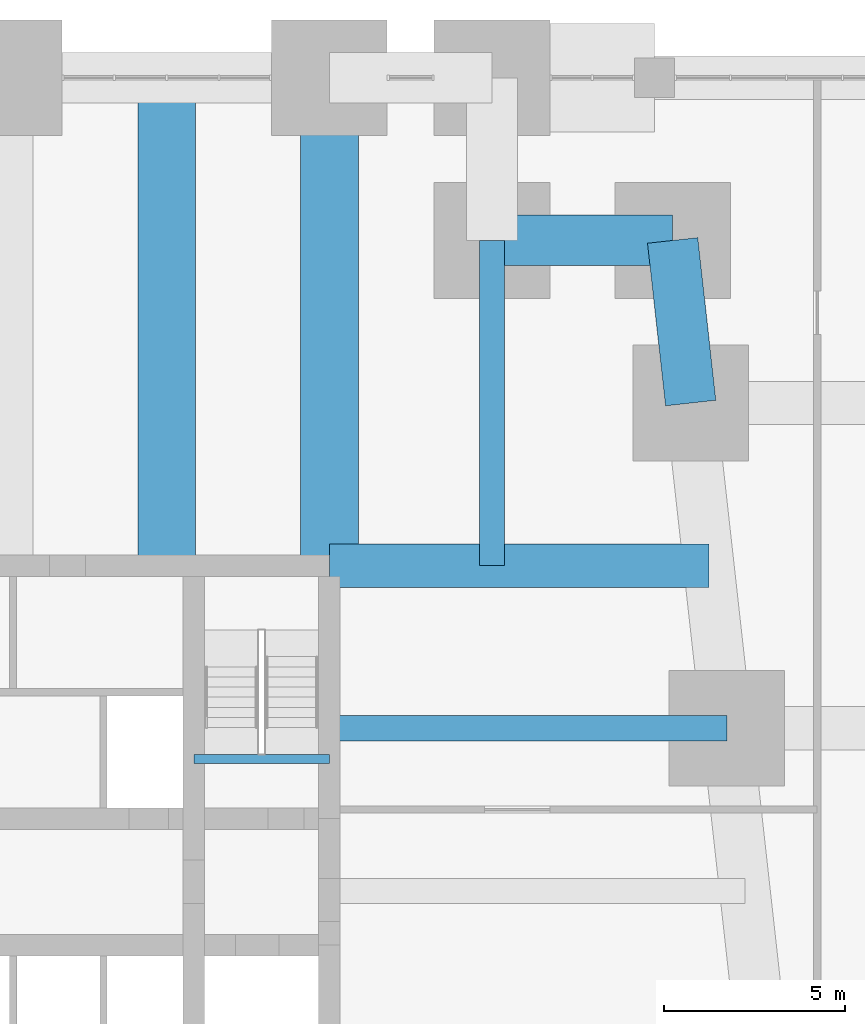
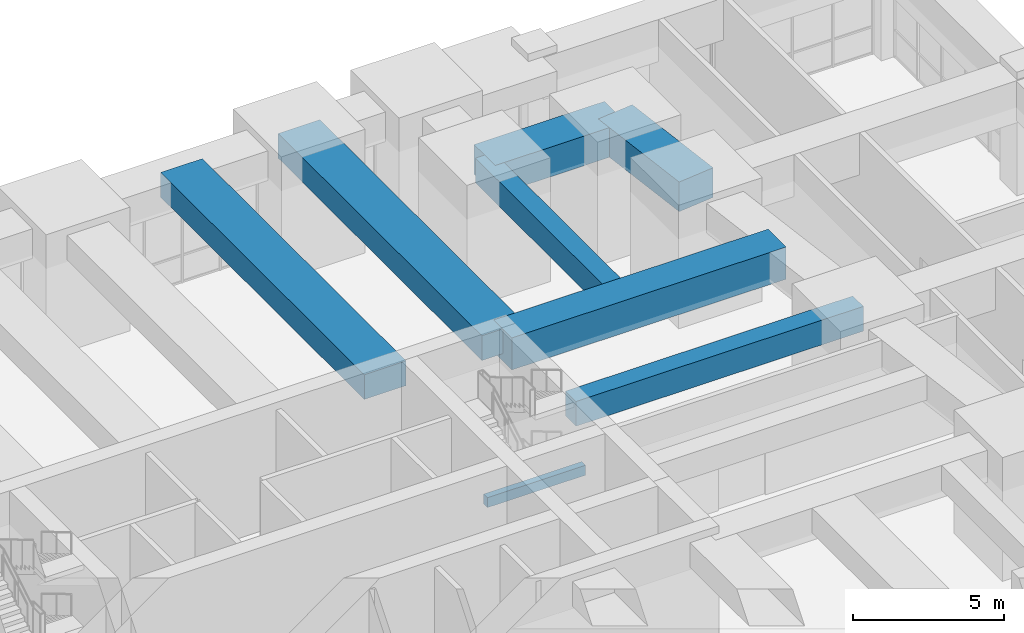
# One storey, part 12 of 27: 8 beams.
"""IFC4 building model written with IfcOpenShell, lengths in metres."""

from ifc_helpers import new_model, si_unit, direction, frame, origin, origin_2d, place, context, subcontext, project, spatial, rectangle, extrude, material, material_profile, profile_set, type_object, element, save


model = new_model("IFC4")

# Units and contexts
model_context = context("Model", 3, precision=1e-05, world=origin(), true_north=direction((0.0, 1.0)))
body_context = subcontext(model_context, "Body", "Model", "MODEL_VIEW")
ifc_project = project(units=[si_unit("LENGTHUNIT", "METRE"), si_unit("AREAUNIT", "SQUARE_METRE"), si_unit("VOLUMEUNIT", "CUBIC_METRE"), si_unit("PLANEANGLEUNIT", "RADIAN"), si_unit("MASSUNIT", "GRAM", prefix="KILO")], contexts=[model_context])

# Site, building, storey
site_placement = place(None, origin())
site = spatial("IfcSite", under=ifc_project, at=site_placement, CompositionType="ELEMENT")
building_placement = place(site_placement, origin())
building = spatial("IfcBuilding", under=site, at=building_placement, Name="Kilele Tower Hotel", CompositionType="ELEMENT")
storey_placement = place(building_placement, frame((0.0, 0.0, 6.0)))
storey = spatial("IfcBuildingStorey", under=building, at=storey_placement, Name="L01", CompositionType="ELEMENT", Elevation=6.0)

# Beams
ifc_material_1 = material(Name="Concrete C60/75", Category="concrete")
ifc_material_profile_1 = material_profile(ifc_material_1, rectangle(XDim=1.60009765625, YDim=1.0, at=origin_2d()))
ifc_profile_set_1 = profile_set([ifc_material_profile_1], Name="Concrete C60/75")
beam_type_1 = type_object("IfcBeamType", Name="Beam RC 1600x1000 C60/75", PredefinedType="BEAM", material=ifc_profile_set_1)
for number, where, z_axis, x_axis, name in (
    (1, (36.0, 40.5, 4.199951171875), (0.0, -1.0, 0.0), (1.0, 0.0, 0.0), "Beam BC1 level L02"),
    (2, (31.5, 40.5, 4.199951171875), (0.0, -1.0, 0.0), (1.0, 0.0, 0.0), "Beam BC1 level L02"),
):
    element("IfcBeam", number, at=place(storey_placement, frame(where, z_axis=z_axis, x_axis=x_axis)), inside=storey, type_object=beam_type_1, Name=name, PredefinedType="BEAM", context=body_context, shape_type="SweptSolid", body=[
        extrude(rectangle(XDim=1.60009765625, YDim=1.0, at=origin_2d()), origin(), (0.0, 0.0, 1.0), 13.5),
    ])
ifc_material_2 = material(Name="Concrete C60/75", Category="concrete")
ifc_material_profile_2 = material_profile(ifc_material_2, rectangle(XDim=0.699951171875, YDim=1.0, at=origin_2d()))
ifc_profile_set_2 = profile_set([ifc_material_profile_2], Name="Concrete C60/75")
beam_type_2 = type_object("IfcBeamType", Name="Beam RC 700x1000 C60/75 mid span", PredefinedType="BEAM", material=ifc_profile_set_2)
beam_1_placement = place(storey_placement, frame((47.0, 22.5, 4.199951171875), z_axis=(-1.0, 0.0, 0.0), x_axis=(0.0, -1.0, 0.0)))
element("IfcBeam", 3, at=beam_1_placement, inside=storey, type_object=beam_type_2, Name="Beam B5 level L02", PredefinedType="BEAM", context=body_context, shape_type="SweptSolid", body=[
    extrude(rectangle(XDim=0.699951171875, YDim=1.0, at=origin_2d()), origin(), (0.0, 0.0, 1.0), 11.0),
])
beam_2_placement = place(storey_placement, frame((40.5, 36.0, 4.199951171875), z_axis=(0.0, -1.0, 0.0), x_axis=(1.0, 0.0, 0.0)))
element("IfcBeam", 4, at=beam_2_placement, inside=storey, type_object=beam_type_2, Name="Beam B5 level L02", PredefinedType="BEAM", context=body_context, shape_type="SweptSolid", body=[
    extrude(rectangle(XDim=0.699951171875, YDim=1.0, at=origin_2d()), origin(), (0.0, 0.0, 1.0), 9.0),
])
ifc_material_3 = material(Name="Concrete C60/75", Category="concrete")
ifc_material_profile_3 = material_profile(ifc_material_3, rectangle(XDim=1.199951171875, YDim=1.300048828125, at=origin_2d()))
ifc_profile_set_3 = profile_set([ifc_material_profile_3], Name="Concrete C60/75")
beam_type_3 = type_object("IfcBeamType", Name="Girder RC 1200x1300 C60/75 mid span", PredefinedType="BEAM", material=ifc_profile_set_3)
beam_3_placement = place(storey_placement, frame((46.5, 27.0, 4.050048828125), z_axis=(-1.0, 0.0, 0.0), x_axis=(0.0, -1.0, 0.0)))
element("IfcBeam", 5, at=beam_3_placement, inside=storey, type_object=beam_type_3, Name="Girder G3 level L02", PredefinedType="BEAM", context=body_context, shape_type="SweptSolid", body=[
    extrude(rectangle(XDim=1.199951171875, YDim=1.300048828125, at=origin_2d()), origin(), (0.0, 0.0, 1.0), 10.5),
])
ifc_material_4 = material(Name="Concrete C40/50", Category="concrete")
ifc_material_profile_4 = material_profile(ifc_material_4, rectangle(XDim=0.25, YDim=0.39990234375, at=origin_2d()))
ifc_profile_set_4 = profile_set([ifc_material_profile_4], Name="Concrete C40/50")
beam_type_4 = type_object("IfcBeamType", Name="Landing beam RC 250x400 C40/50", PredefinedType="BEAM", material=ifc_profile_set_4)
beam_4_placement = place(storey_placement, frame((32.25, 21.64990234375, 2.300048828125), z_axis=(1.0, 0.0, 0.0), x_axis=(0.0, 1.0, 0.0)))
element("IfcBeam", 6, at=beam_4_placement, inside=storey, type_object=beam_type_4, Name="Landing beam ST2 L01", PredefinedType="BEAM", context=body_context, shape_type="SweptSolid", body=[
    extrude(rectangle(XDim=0.25, YDim=0.39990234375, at=origin_2d()), origin(), (0.0, 0.0, 1.0), 3.75),
])
ifc_material_5 = material(Name="Concrete C60/75", Category="concrete")
ifc_material_profile_5 = material_profile(ifc_material_5, rectangle(XDim=1.39990234375, YDim=1.199951171875, at=origin_2d()))
ifc_profile_set_5 = profile_set([ifc_material_profile_5], Name="Concrete C60/75")
beam_type_5 = type_object("IfcBeamType", Name="Spandrel RC 1400x1200 C60/75", PredefinedType="SPANDREL", material=ifc_profile_set_5)
beam_5_placement = place(storey_placement, frame((46.0, 31.5, 4.10009765625), z_axis=(-0.110431526075, 0.993883734674, 0.0), x_axis=(-0.993883734674, -0.110431526075, 0.0)))
element("IfcBeam", 7, at=beam_5_placement, inside=storey, type_object=beam_type_5, Name="Spandrel SP10 level L02", PredefinedType="SPANDREL", context=body_context, shape_type="SweptSolid", body=[
    extrude(rectangle(XDim=1.39990234375, YDim=1.199951171875, at=origin_2d()), origin(), (0.0, 0.0, 1.0), 4.527587890625),
])
beam_6_placement = place(storey_placement, frame((45.5, 36.0, 4.10009765625), z_axis=(-1.0, 0.0, 0.0), x_axis=(0.0, -1.0, 0.0)))
element("IfcBeam", 8, at=beam_6_placement, inside=storey, type_object=beam_type_5, Name="Spandrel SP10 level L02", PredefinedType="SPANDREL", context=body_context, shape_type="SweptSolid", body=[
    extrude(rectangle(XDim=1.39990234375, YDim=1.199951171875, at=origin_2d()), origin(), (0.0, 0.0, 1.0), 5.0),
])

save(model, "model.ifc")
